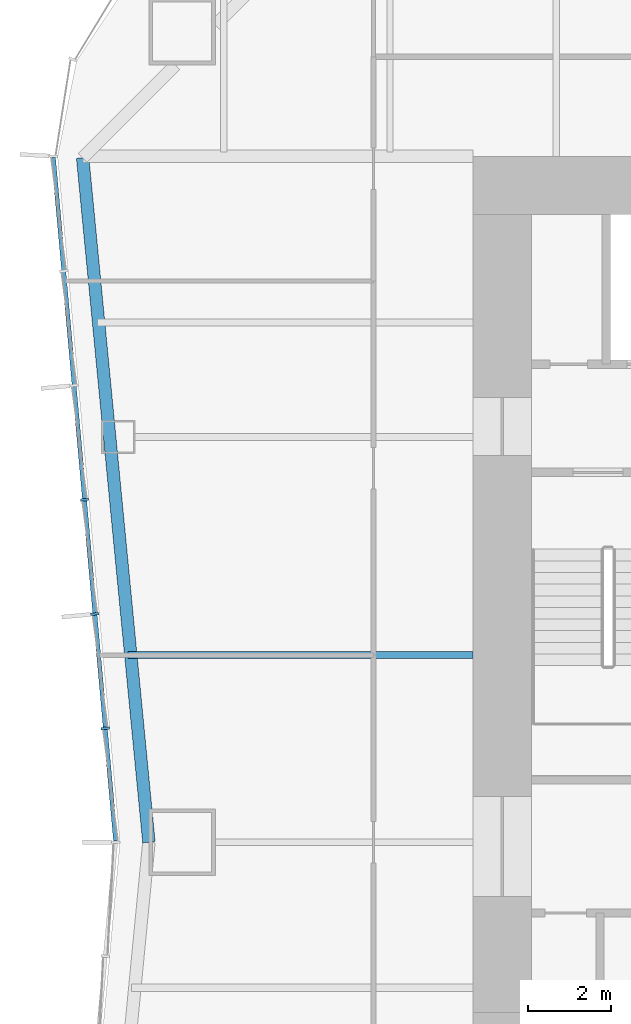
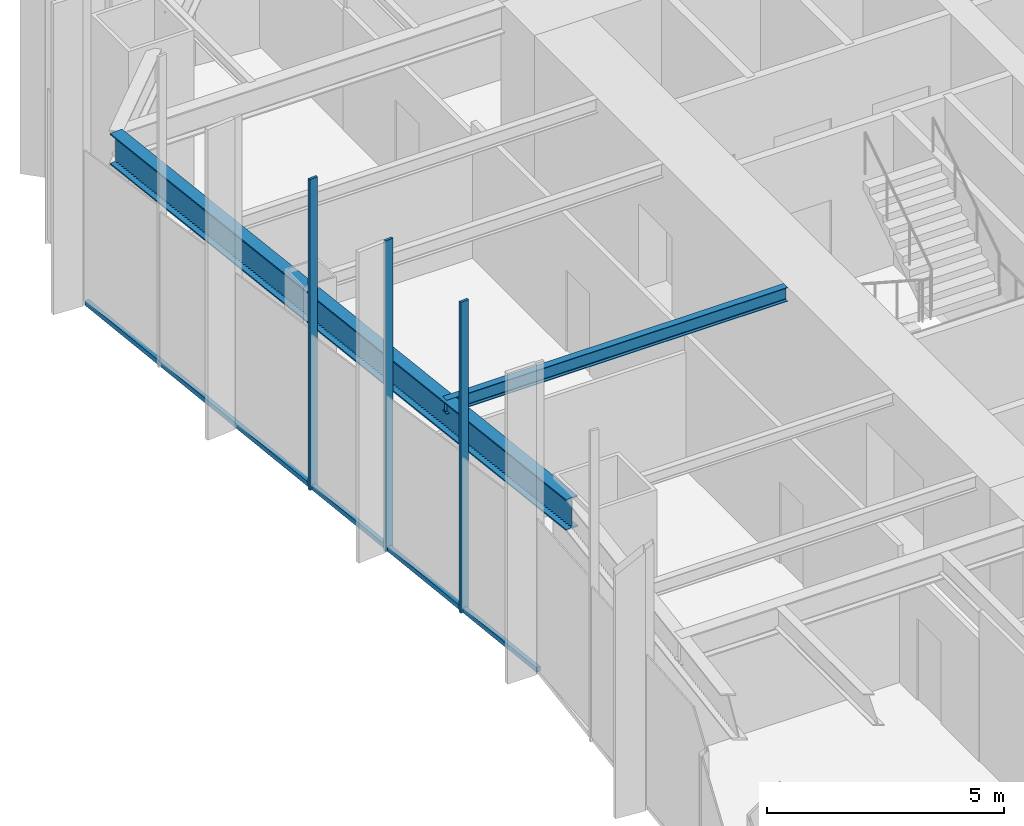
# One storey, part 3 of 13: 4 members, 2 beams, 1 element without a shape of its own.
"""IFC4 building model written with IfcOpenShell, lengths in metres."""

from ifc_helpers import new_model, si_unit, direction, frame, origin, origin_2d, place, context, subcontext, project, spatial, rectangle, i_section, extrude, material, material_profile, profile_set, type_object, element, aggregate, save


model = new_model("IFC4")

# Units and contexts
model_context = context("Model", 3, precision=1e-05, world=origin(), true_north=direction((0.0, 1.0)))
body_context = subcontext(model_context, "Body", "Model", "MODEL_VIEW")
ifc_project = project(units=[si_unit("LENGTHUNIT", "METRE"), si_unit("AREAUNIT", "SQUARE_METRE"), si_unit("VOLUMEUNIT", "CUBIC_METRE"), si_unit("PLANEANGLEUNIT", "RADIAN"), si_unit("MASSUNIT", "GRAM", prefix="KILO")], contexts=[model_context])

# Site, building, storey
site_placement = place(None, origin())
site = spatial("IfcSite", under=ifc_project, at=site_placement, CompositionType="ELEMENT")
building_placement = place(site_placement, origin())
building = spatial("IfcBuilding", under=site, at=building_placement, Name="Verdant Reach Tower", CompositionType="ELEMENT")
storey_placement = place(building_placement, frame((0.0, 0.0, 50.0)))
storey = spatial("IfcBuildingStorey", under=building, at=storey_placement, Name="L11", CompositionType="ELEMENT", Elevation=50.0)

# Curtain wall, members
ifc_material_1 = material(Name="Anodised aluminium", Category="aluminium")
curtain_wall_type = type_object("IfcCurtainWallType", Name="EN-CW SYSTEM Z0", PredefinedType="NOTDEFINED", material=ifc_material_1)
curtain_wall_placement = place(storey_placement, origin())
curtain_wall = element("IfcCurtainWall", 1, at=curtain_wall_placement, inside=storey, type_object=curtain_wall_type, Name="Curtain wall west, L11", PredefinedType="NOTDEFINED")
ifc_material_profile_1 = material_profile(ifc_material_1, rectangle(XDim=0.199951171875, YDim=0.06005859375, at=origin_2d()), Name="Mullion 60x200")
ifc_profile_set_1 = profile_set([ifc_material_profile_1], Name="Anodised aluminium")
member_type_1 = type_object("IfcMemberType", Name="EN-MULLION Z0", PredefinedType="MULLION", material=ifc_profile_set_1)
member_1_placement = place(storey_placement, frame((-23.349609375, 30.740966796875, -0.35009765625), z_axis=(0.0, 0.0, 1.0), x_axis=(-0.995893206467, -0.090535746047, 0.0)))
member_1 = element("IfcMember", 2, at=member_1_placement, type_object=member_type_1, Name="Mullion west face part 1 4, L11", PredefinedType="MULLION", context=body_context, shape_type="SweptSolid", body=[
    extrude(rectangle(XDim=0.199951171875, YDim=0.06005859375, at=origin_2d()), origin(), (0.0, 0.0, 1.0), 8.0),
])
member_2_placement = place(storey_placement, frame((-23.099609375, 27.990966796875, -0.35009765625), z_axis=(0.0, 0.0, 1.0), x_axis=(-0.995893206467, -0.090535746047, 0.0)))
member_2 = element("IfcMember", 3, at=member_2_placement, type_object=member_type_1, Name="Mullion west face part 1 5, L11", PredefinedType="MULLION", context=body_context, shape_type="SweptSolid", body=[
    extrude(rectangle(XDim=0.199951171875, YDim=0.06005859375, at=origin_2d()), origin(), (0.0, 0.0, 1.0), 8.0),
])
member_3_placement = place(storey_placement, frame((-22.849609375, 25.240966796875, -0.35009765625), z_axis=(0.0, 0.0, 1.0), x_axis=(-0.995893206467, -0.090535746047, 0.0)))
member_3 = element("IfcMember", 4, at=member_3_placement, type_object=member_type_1, Name="Mullion west face part 1 6, L11", PredefinedType="MULLION", context=body_context, shape_type="SweptSolid", body=[
    extrude(rectangle(XDim=0.199951171875, YDim=0.06005859375, at=origin_2d()), origin(), (0.0, 0.0, 1.0), 8.0),
])
ifc_material_profile_2 = material_profile(ifc_material_1, rectangle(XDim=0.10009765625, YDim=0.1201171875, at=origin_2d()), Name="Transom 120x100")
ifc_profile_set_2 = profile_set([ifc_material_profile_2], Name="Anodised aluminium")
member_type_2 = type_object("IfcMemberType", Name="EN-TRANSOM Z0", PredefinedType="USERDEFINED", material=ifc_profile_set_2)
member_4_placement = place(storey_placement, frame((-24.09716796875, 38.975341796875, -0.2900390625), z_axis=(0.090495755184, -0.995896841191, 0.0), x_axis=(0.995896841191, 0.090495755184, 0.0)))
member_4 = element("IfcMember", 5, at=member_4_placement, type_object=member_type_2, Name="Transom west face part 1 1.1, L11", ObjectType="TRANSOM", PredefinedType="USERDEFINED", context=body_context, shape_type="SweptSolid", body=[
    extrude(rectangle(XDim=0.10009765625, YDim=0.1201171875, at=origin_2d()), origin(), (0.0, 0.0, 1.0), 16.513427734375),
])
aggregate(curtain_wall, [member_1, member_2, member_3, member_4])

# Beams
ifc_material_2 = material(Name="Steel S355", Category="steel")
ifc_material_profile_3 = material_profile(ifc_material_2, i_section(OverallWidth=0.169921875, OverallDepth=0.360107421875, WebThickness=0.008056640625, FlangeThickness=0.0126953125, FilletRadius=0.01806640625, at=origin_2d()), Name="IPE 360")
ifc_profile_set_3 = profile_set([ifc_material_profile_3], Name="Steel S355")
beam_type_1 = type_object("IfcBeamType", Name="ST-JOIST-IPE360", PredefinedType="JOIST", material=ifc_profile_set_3)
beam_1_placement = place(storey_placement, frame((-14.0, 27.0, 3.68994140625), z_axis=(-1.0, 0.0, 0.0), x_axis=(0.0, -1.0, 0.0)))
element("IfcBeam", 6, at=beam_1_placement, inside=storey, type_object=beam_type_1, Name="Floor joist, L11", PredefinedType="JOIST", context=body_context, shape_type="SweptSolid", body=[
    extrude(i_section(OverallWidth=0.169921875, OverallDepth=0.360107421875, WebThickness=0.008056640625, FlangeThickness=0.0126953125, FilletRadius=0.01806640625, at=origin_2d()), origin(), (0.0, 0.0, 1.0), 8.306640625),
])
ifc_material_profile_4 = material_profile(ifc_material_2, i_section(OverallWidth=0.300048828125, OverallDepth=0.800048828125, WebThickness=0.017578125, FlangeThickness=0.032958984375, FilletRadius=0.030029296875, at=origin_2d()), Name="HEB 800")
ifc_profile_set_4 = profile_set([ifc_material_profile_4], Name="Steel S355")
beam_type_2 = type_object("IfcBeamType", Name="ST-SPANDREL-HEB800", PredefinedType="SPANDREL", material=ifc_profile_set_4)
beam_2_placement = place(storey_placement, frame((-21.800048828125, 22.5, 3.469970703125), z_axis=(-0.096372296695, 0.995345357366, 0.0), x_axis=(-0.995345357366, -0.096372296695, 0.0)))
element("IfcBeam", 7, at=beam_2_placement, inside=storey, type_object=beam_type_2, Name="Edge beam, L11", PredefinedType="SPANDREL", context=body_context, shape_type="SweptSolid", body=[
    extrude(i_section(OverallWidth=0.300048828125, OverallDepth=0.800048828125, WebThickness=0.017578125, FlangeThickness=0.032958984375, FilletRadius=0.030029296875, at=origin_2d()), origin(), (0.0, 0.0, 1.0), 16.544921875),
])

save(model, "model.ifc")
